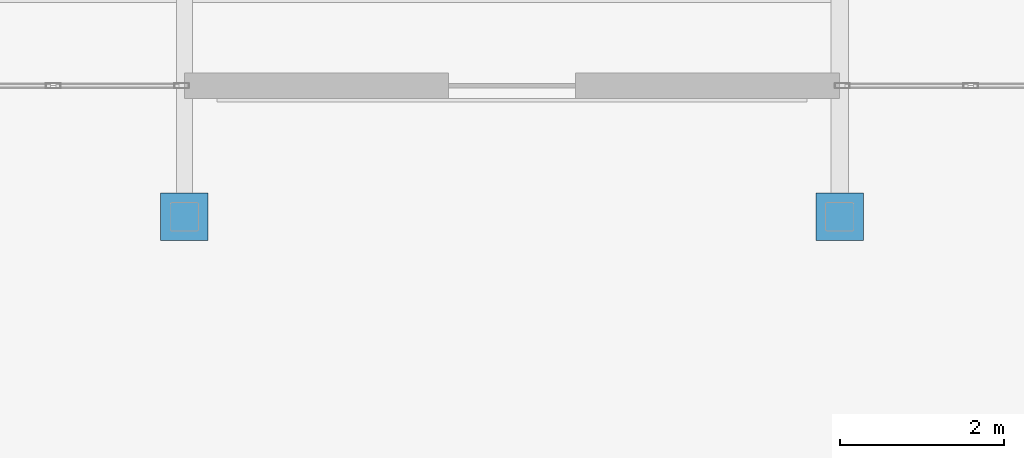
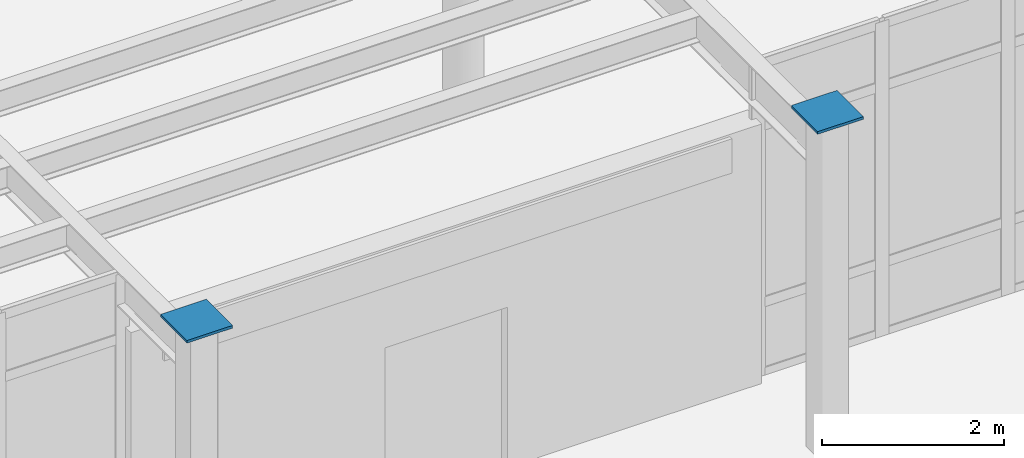
# One storey, part 96 of 111: 2 discrete accessories.
"""IFC4 building model written with IfcOpenShell, lengths in metres."""

from ifc_helpers import new_model, si_unit, direction, frame, origin, origin_2d, place, context, subcontext, project, spatial, rectangle, extrude, material, layer, layer_set, type_object, element, save


model = new_model("IFC4")

# Units and contexts
model_context = context("Model", 3, precision=1e-05, world=origin(), true_north=direction((0.0, 1.0)))
body_context = subcontext(model_context, "Body", "Model", "MODEL_VIEW")
ifc_project = project(units=[si_unit("LENGTHUNIT", "METRE"), si_unit("AREAUNIT", "SQUARE_METRE"), si_unit("VOLUMEUNIT", "CUBIC_METRE"), si_unit("PLANEANGLEUNIT", "RADIAN"), si_unit("MASSUNIT", "GRAM", prefix="KILO")], contexts=[model_context])

# Site, building, storey
site_placement = place(None, origin())
site = spatial("IfcSite", under=ifc_project, at=site_placement, CompositionType="ELEMENT")
building_placement = place(site_placement, origin())
building = spatial("IfcBuilding", under=site, at=building_placement, Name="Solmirada Galleria", CompositionType="ELEMENT")
storey_placement = place(building_placement, frame((0.0, 0.0, 10.39990234375)))
storey = spatial("IfcBuildingStorey", under=building, at=storey_placement, Name="L02", CompositionType="ELEMENT", Elevation=10.39990234375)

# Discrete accessories
ifc_material = material(Name="Steel S355 / ASTM A572 Grade 50", Category="steel")
ifc_layer = layer(ifc_material, 0.031982421875)
ifc_layer_set = layer_set([ifc_layer], Name="Steel S355 / ASTM A572 Grade 50")
discrete_accessory_type = type_object("IfcDiscreteAccessoryType", Name="ACC-COL-CAP", PredefinedType="BRACKET", material=ifc_layer_set)
for number, where, z_axis, x_axis, name in (
    (1, (104.0, 80.0, 4.494140625), (0.0, 0.0, 1.0), (1.0, 0.0, 0.0), "Hollow column cap plate L02-0768"),
    (2, (112.0, 80.0, 4.494140625), (0.0, 0.0, 1.0), (1.0, 0.0, 0.0), "Hollow column cap plate L02-0884"),
):
    element("IfcDiscreteAccessory", number, at=place(storey_placement, frame(where, z_axis=z_axis, x_axis=x_axis)), inside=storey, type_object=discrete_accessory_type, Name=name, PredefinedType="BRACKET", context=body_context, shape_type="SweptSolid", body=[
        extrude(rectangle(XDim=0.580078125, YDim=0.580078125, at=origin_2d()), origin(), (0.0, 0.0, 1.0), 0.035888671875),
    ])

save(model, "model.ifc")
